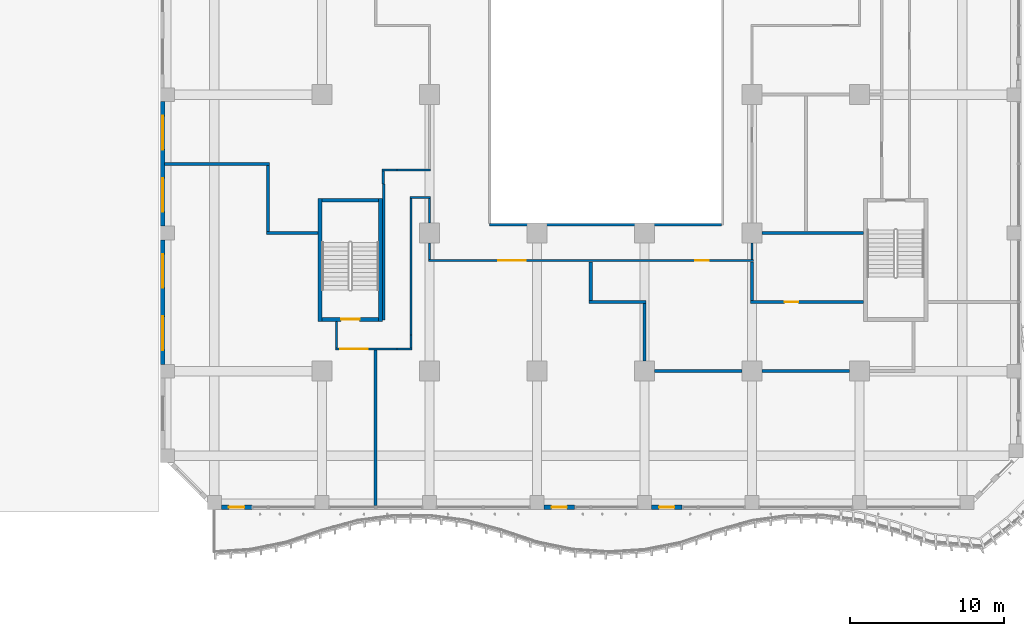
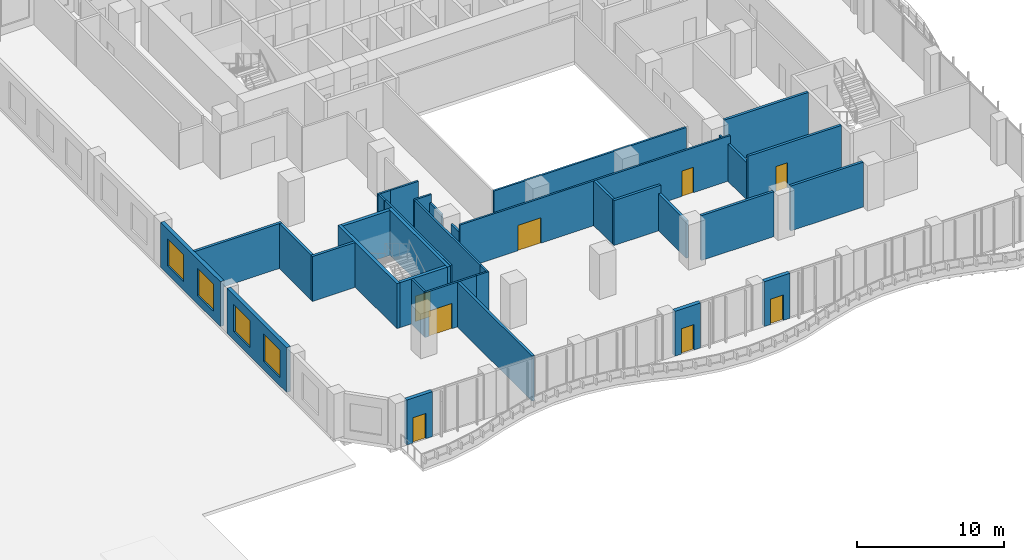
# One storey, part 15 of 29: 36 walls, 8 doors, 4 windows, 12 openings.
"""IFC4 building model written with IfcOpenShell, lengths in metres."""

from ifc_helpers import new_model, si_unit, direction, frame, frame_2d, origin, place, context, subcontext, project, spatial, rectangle, extrude, source, transform, mapped, material, layer, layer_set, type_object, element, fill, save


model = new_model("IFC4")

# Units and contexts
model_context = context("Model", 3, precision=1e-05, world=origin(), true_north=direction((0.0, 1.0)))
body_context = subcontext(model_context, "Body", "Model", "MODEL_VIEW")
ifc_project = project(units=[si_unit("LENGTHUNIT", "METRE"), si_unit("AREAUNIT", "SQUARE_METRE"), si_unit("VOLUMEUNIT", "CUBIC_METRE"), si_unit("PLANEANGLEUNIT", "RADIAN"), si_unit("MASSUNIT", "GRAM", prefix="KILO")], contexts=[model_context])

# Site, building, storey
site_placement = place(None, origin())
site = spatial("IfcSite", under=ifc_project, at=site_placement, CompositionType="ELEMENT")
building_placement = place(site_placement, origin())
building = spatial("IfcBuilding", under=site, at=building_placement, Name="Kilnfold Tower and Market Hall", CompositionType="ELEMENT")
storey_placement = place(building_placement, frame((0.0, 0.0, 27.0)))
storey = spatial("IfcBuildingStorey", under=building, at=storey_placement, Name="L05", CompositionType="ELEMENT", Elevation=27.0)

# Walls
ifc_material_1 = material(Name="Fire-resisting glazed screen")
ifc_layer_1 = layer(ifc_material_1, 0.14990234375)
ifc_layer_set_1 = layer_set([ifc_layer_1], Name="Fire-resisting glazed screen")
wall_type_1 = type_object("IfcWallType", Name="WALL ATRIUM 150", PredefinedType="PARTITIONING", material=ifc_layer_set_1)
wall_1_placement = place(storey_placement, frame((8.5, -9.47509765625, 0.0), z_axis=(0.0, 0.0, 1.0), x_axis=(-1.0, 0.0, 0.0)))
element("IfcWall", 1, at=wall_1_placement, inside=storey, type_object=wall_type_1, Name="Partition LY06.60", PredefinedType="PARTITIONING", context=body_context, shape_type="SweptSolid", body=[
    extrude(rectangle(XDim=15.074951171875, YDim=0.14990234375, at=frame_2d((7.53759765625, 0.0))), origin(), (0.0, 0.0, 1.0), 3.719970703125),
])
ifc_material_2 = material(Name="Gypsum board on steel studs", Category="steel")
ifc_layer_2 = layer(ifc_material_2, 0.14990234375)
ifc_layer_set_2 = layer_set([ifc_layer_2], Name="Gypsum board on steel studs")
wall_type_2 = type_object("IfcWallType", Name="WALL CORRIDOR 150", PredefinedType="PARTITIONING", material=ifc_layer_set_2)
wall_2_placement = place(storey_placement, frame((-12.597900390625, -5.89794921875, 0.0), z_axis=(0.0, 0.0, 1.0), x_axis=(-1.0, 0.0, 0.0)))
element("IfcWall", 2, at=wall_2_placement, inside=storey, type_object=wall_type_2, Name="Partition LY06.1", PredefinedType="PARTITIONING", context=body_context, shape_type="SweptSolid", body=[
    extrude(rectangle(XDim=0.97900390625, YDim=0.14990234375, at=frame_2d((0.489501953125, 0.0))), origin(), (0.0, 0.0, 1.0), 3.719970703125),
])
wall_3_placement = place(storey_placement, frame((-10.425048828125, -5.89990234375, 0.0), z_axis=(0.0, 0.0, 1.0), x_axis=(-1.0, 0.0, 0.0)))
element("IfcWall", 3, at=wall_3_placement, inside=storey, type_object=wall_type_2, Name="Partition LY06.2", PredefinedType="PARTITIONING", context=body_context, shape_type="SweptSolid", body=[
    extrude(rectangle(XDim=2.1728515625, YDim=0.14990234375, at=frame_2d((1.08642578125, 0.0))), origin(), (0.0, 0.0, 1.0), 3.719970703125),
])
wall_4_placement = place(storey_placement, frame((-13.469970703125, -6.802001953125, 0.0), z_axis=(0.0, 0.0, 1.0), x_axis=(0.0, -1.0, 0.0)))
element("IfcWall", 4, at=wall_4_placement, inside=storey, type_object=wall_type_2, Name="Partition LY06.9", PredefinedType="PARTITIONING", context=body_context, shape_type="SweptSolid", body=[
    extrude(rectangle(XDim=8.873046875, YDim=0.14990234375, at=frame_2d((4.4365234375, 0.0))), origin(), (0.0, 0.0, 1.0), 3.719970703125),
])
wall_5_placement = place(storey_placement, frame((-13.501953125, -5.972900390625, 0.0), z_axis=(0.0, 0.0, 1.0), x_axis=(0.0, -1.0, 0.0)))
element("IfcWall", 5, at=wall_5_placement, inside=storey, type_object=wall_type_2, Name="Partition LY06.10", PredefinedType="PARTITIONING", context=body_context, shape_type="SweptSolid", body=[
    extrude(rectangle(XDim=0.8291015625, YDim=0.14990234375, at=frame_2d((0.41455078125, 0.0))), origin(), (0.0, 0.0, 1.0), 3.719970703125),
])

# Wall, openings, doors
wall_6_placement = place(storey_placement, frame((-10.574951171875, -11.800048828125, 0.0), z_axis=(0.0, 0.0, 1.0), x_axis=(1.0, 0.0, 0.0)))
wall_6 = element("IfcWall", 6, at=wall_6_placement, inside=storey, type_object=wall_type_2, Name="Partition LY06.11", PredefinedType="PARTITIONING", context=body_context, shape_type="SweptSolid", body=[
    extrude(rectangle(XDim=21.175048828125, YDim=0.14990234375, at=frame_2d((10.58740234375, 0.0))), origin(), (0.0, 0.0, 1.0), 3.719970703125),
])
opening_1_placement = place(wall_6_placement, frame((4.5439453125, 0.0, 0.0)))
opening_1 = element("IfcOpeningElement", 7, at=opening_1_placement, cuts=wall_6, Name="Opening D5", PredefinedType="OPENING", context=body_context, shape_type="SweptSolid", body=[
    extrude(rectangle(XDim=1.800048828125, YDim=2.10009765625, at=frame_2d((0.89990234375, 1.050048828125))), frame((0.0, 0.0849609375, 0.0), z_axis=(0.0, -1.0, 0.0), x_axis=(1.0, 0.0, 0.0)), (0.0, 0.0, 1.0), 0.169921875),
])
opening_2_placement = place(wall_6_placement, frame((17.3720703125, 0.0, 0.0)))
opening_2 = element("IfcOpeningElement", 8, at=opening_2_placement, cuts=wall_6, Name="Opening D2", PredefinedType="OPENING", context=body_context, shape_type="SweptSolid", body=[
    extrude(rectangle(XDim=0.89990234375, YDim=2.10009765625, at=frame_2d((0.449951171875, 1.050048828125))), frame((0.0, 0.0849609375, 0.0), z_axis=(0.0, -1.0, 0.0), x_axis=(1.0, 0.0, 0.0)), (0.0, 0.0, 1.0), 0.169921875),
])
ifc_material_3 = material(Name="Timber veneer door leaf in steel frame", Category="steel")
door_type_1 = type_object("IfcDoorType", Name="DOOR DOUBLE 1800 X2100", OperationType="NOTDEFINED", PredefinedType="DOOR", material=ifc_material_3)
door_1_placement = place(opening_1_placement, origin())
door_1 = element("IfcDoor", 9, at=door_1_placement, inside=storey, type_object=door_type_1, Name="Door D5", OperationType="DOUBLE_DOOR_SINGLE_SWING", OverallHeight=2.10009765625, OverallWidth=1.800048828125, PredefinedType="DOOR", context=body_context, shape_type="SweptSolid", body=[
    extrude(rectangle(XDim=1.800048828125, YDim=2.10009765625, at=frame_2d((0.89990234375, 1.050048828125))), frame((0.0, 0.02490234375, 0.0), z_axis=(0.0, -1.0, 0.0), x_axis=(1.0, 0.0, 0.0)), (0.0, 0.0, 1.0), 0.050048828125),
])
fill(opening_1, door_1)
ifc_material_4 = material(Name="Timber veneer door leaf in steel frame", Category="steel")
door_type_2 = type_object("IfcDoorType", Name="DOOR ROOM 900 X2100", OperationType="NOTDEFINED", PredefinedType="DOOR", material=ifc_material_4)
door_2_placement = place(opening_2_placement, origin())
door_2 = element("IfcDoor", 10, at=door_2_placement, inside=storey, type_object=door_type_2, Name="Door D2", OperationType="SINGLE_SWING_LEFT", OverallHeight=2.10009765625, OverallWidth=0.89990234375, PredefinedType="DOOR", context=body_context, shape_type="SweptSolid", body=[
    extrude(rectangle(XDim=0.89990234375, YDim=2.10009765625, at=frame_2d((0.449951171875, 1.050048828125))), frame((0.0, 0.02490234375, 0.0), z_axis=(0.0, -1.0, 0.0), x_axis=(1.0, 0.0, 0.0)), (0.0, 0.0, 1.0), 0.050048828125),
])
fill(opening_2, door_2)

# Walls
wall_7_placement = place(storey_placement, frame((-10.5, -11.72509765625, 0.0), z_axis=(0.0, 0.0, 1.0), x_axis=(0.0, 1.0, 0.0)))
element("IfcWall", 11, at=wall_7_placement, inside=storey, type_object=wall_type_2, Name="Partition LY06.12", PredefinedType="PARTITIONING", context=body_context, shape_type="SweptSolid", body=[
    extrude(rectangle(XDim=1.0751953125, YDim=0.14990234375, at=frame_2d((0.53759765625, 0.0))), origin(), (0.0, 0.0, 1.0), 3.070068359375),
])
wall_8_placement = place(storey_placement, frame((-10.5, -9.35009765625, 0.0), z_axis=(0.0, 0.0, 1.0), x_axis=(0.0, 1.0, 0.0)))
element("IfcWall", 12, at=wall_8_placement, inside=storey, type_object=wall_type_2, Name="Partition LY06.13", PredefinedType="PARTITIONING", context=body_context, shape_type="SweptSolid", body=[
    extrude(rectangle(XDim=1.5751953125, YDim=0.14990234375, at=frame_2d((0.78759765625, 0.0))), origin(), (0.0, 0.0, 1.0), 3.070068359375),
])
wall_9_placement = place(storey_placement, frame((-11.77490234375, -7.699951171875, 0.0), z_axis=(0.0, 0.0, 1.0), x_axis=(1.0, 0.0, 0.0)))
element("IfcWall", 13, at=wall_9_placement, inside=storey, type_object=wall_type_2, Name="Partition LY06.14", PredefinedType="PARTITIONING", context=body_context, shape_type="SweptSolid", body=[
    extrude(rectangle(XDim=1.349853515625, YDim=0.14990234375, at=frame_2d((0.6748046875, 0.0))), origin(), (0.0, 0.0, 1.0), 3.719970703125),
])
wall_10_placement = place(storey_placement, frame((-11.699951171875, -16.64794921875, 0.0), z_axis=(0.0, 0.0, 1.0), x_axis=(0.0, 1.0, 0.0)))
element("IfcWall", 14, at=wall_10_placement, inside=storey, type_object=wall_type_2, Name="Partition LY06.15", PredefinedType="PARTITIONING", context=body_context, shape_type="SweptSolid", body=[
    extrude(rectangle(XDim=8.873046875, YDim=0.14990234375, at=frame_2d((4.4365234375, 0.0))), origin(), (0.0, 0.0, 1.0), 3.719970703125),
])
wall_11_placement = place(storey_placement, frame((-11.697998046875, -17.47705078125, 0.0), z_axis=(0.0, 0.0, 1.0), x_axis=(0.0, 1.0, 0.0)))
element("IfcWall", 15, at=wall_11_placement, inside=storey, type_object=wall_type_2, Name="Partition LY06.16", PredefinedType="PARTITIONING", context=body_context, shape_type="SweptSolid", body=[
    extrude(rectangle(XDim=0.8291015625, YDim=0.14990234375, at=frame_2d((0.41455078125, 0.0))), origin(), (0.0, 0.0, 1.0), 3.719970703125),
])
wall_12_placement = place(storey_placement, frame((-12.60205078125, -17.552001953125, 0.0), z_axis=(0.0, 0.0, 1.0), x_axis=(1.0, 0.0, 0.0)))
element("IfcWall", 16, at=wall_12_placement, inside=storey, type_object=wall_type_2, Name="Partition LY06.17", PredefinedType="PARTITIONING", context=body_context, shape_type="SweptSolid", body=[
    extrude(rectangle(XDim=0.97900390625, YDim=0.14990234375, at=frame_2d((0.489501953125, 0.0))), origin(), (0.0, 0.0, 1.0), 3.719970703125),
])

# Wall, opening, door
wall_13_placement = place(storey_placement, frame((-16.625, -17.550048828125, 0.0), z_axis=(0.0, 0.0, 1.0), x_axis=(1.0, 0.0, 0.0)))
wall_13 = element("IfcWall", 17, at=wall_13_placement, inside=storey, type_object=wall_type_2, Name="Partition LY06.18", PredefinedType="PARTITIONING", context=body_context, shape_type="SweptSolid", body=[
    extrude(rectangle(XDim=4.02294921875, YDim=0.14990234375, at=frame_2d((2.011474609375, 0.0))), origin(), (0.0, 0.0, 1.0), 3.719970703125),
])
opening_3_placement = place(wall_13_placement, frame((0.30908203125, 0.0, 0.0)))
opening_3 = element("IfcOpeningElement", 18, at=opening_3_placement, cuts=wall_13, Name="Opening D5", PredefinedType="OPENING", context=body_context, shape_type="SweptSolid", body=[
    extrude(rectangle(XDim=1.800048828125, YDim=2.10009765625, at=frame_2d((0.89990234375, 1.050048828125))), frame((0.0, 0.0849609375, 0.0), z_axis=(0.0, -1.0, 0.0), x_axis=(1.0, 0.0, 0.0)), (0.0, 0.0, 1.0), 0.169921875),
])
door_3_placement = place(opening_3_placement, origin())
door_3 = element("IfcDoor", 19, at=door_3_placement, inside=storey, type_object=door_type_1, Name="Door D5", OperationType="DOUBLE_DOOR_SINGLE_SWING", OverallHeight=2.10009765625, OverallWidth=1.800048828125, PredefinedType="DOOR", context=body_context, shape_type="SweptSolid", body=[
    extrude(rectangle(XDim=1.800048828125, YDim=2.10009765625, at=frame_2d((0.89990234375, 1.050048828125))), frame((0.0, 0.02490234375, 0.0), z_axis=(0.0, -1.0, 0.0), x_axis=(1.0, 0.0, 0.0)), (0.0, 0.0, 1.0), 0.050048828125),
])
fill(opening_3, door_3)

# Walls
wall_14_placement = place(storey_placement, frame((-16.550048828125, -15.75, 0.0), z_axis=(0.0, 0.0, 1.0), x_axis=(0.0, -1.0, 0.0)))
element("IfcWall", 20, at=wall_14_placement, inside=storey, type_object=wall_type_2, Name="Partition LY06.19", PredefinedType="PARTITIONING", context=body_context, shape_type="SweptSolid", body=[
    extrude(rectangle(XDim=1.72509765625, YDim=0.14990234375, at=frame_2d((0.862548828125, 0.0))), origin(), (0.0, 0.0, 1.0), 3.719970703125),
])
wall_15_placement = place(storey_placement, frame((10.5, -11.72509765625, 0.0), z_axis=(0.0, 0.0, 1.0), x_axis=(0.0, 1.0, 0.0)))
element("IfcWall", 21, at=wall_15_placement, inside=storey, type_object=wall_type_2, Name="Partition LY06.20", PredefinedType="PARTITIONING", context=body_context, shape_type="SweptSolid", body=[
    extrude(rectangle(XDim=1.0751953125, YDim=0.14990234375, at=frame_2d((0.53759765625, 0.0))), origin(), (0.0, 0.0, 1.0), 3.070068359375),
])
ifc_material_5 = material(Name="Gypsum board on steel studs", Category="steel")
ifc_layer_3 = layer(ifc_material_5, 0.199951171875)
ifc_layer_set_3 = layer_set([ifc_layer_3], Name="Gypsum board on steel studs")
wall_type_3 = type_object("IfcWallType", Name="WALL PARTY 200", PredefinedType="PARTITIONING", material=ifc_layer_set_3)
wall_16_placement = place(storey_placement, frame((-21.10009765625, -10.0, 0.0), z_axis=(0.0, 0.0, 1.0), x_axis=(1.0, 0.0, 0.0)))
element("IfcWall", 22, at=wall_16_placement, inside=storey, type_object=wall_type_3, Name="Partition LY06.35", PredefinedType="PARTITIONING", context=body_context, shape_type="SweptSolid", body=[
    extrude(rectangle(XDim=3.35009765625, YDim=0.199951171875, at=frame_2d((1.675048828125, 0.0))), origin(), (0.0, 0.0, 1.0), 3.719970703125),
])
wall_17_placement = place(storey_placement, frame((-21.0, -9.89990234375, 0.0), z_axis=(0.0, 0.0, 1.0), x_axis=(0.0, 1.0, 0.0)))
element("IfcWall", 23, at=wall_17_placement, inside=storey, type_object=wall_type_3, Name="Partition LY06.36", PredefinedType="PARTITIONING", context=body_context, shape_type="SweptSolid", body=[
    extrude(rectangle(XDim=4.2998046875, YDim=0.199951171875, at=frame_2d((2.14990234375, 0.0))), origin(), (0.0, 0.0, 1.0), 3.719970703125),
])
wall_18_placement = place(storey_placement, frame((-27.75, -5.5, 0.0), z_axis=(0.0, 0.0, 1.0), x_axis=(1.0, 0.0, 0.0)))
element("IfcWall", 24, at=wall_18_placement, inside=storey, type_object=wall_type_3, Name="Partition LY06.37", PredefinedType="PARTITIONING", context=body_context, shape_type="SweptSolid", body=[
    extrude(rectangle(XDim=6.85009765625, YDim=0.199951171875, at=frame_2d((3.425048828125, 0.0))), origin(), (0.0, 0.0, 1.0), 3.719970703125),
])
wall_19_placement = place(storey_placement, frame((-14.0, -27.75, 0.0), z_axis=(0.0, 0.0, 1.0), x_axis=(0.0, 1.0, 0.0)))
element("IfcWall", 25, at=wall_19_placement, inside=storey, type_object=wall_type_3, Name="Partition LY06.41", PredefinedType="PARTITIONING", context=body_context, shape_type="SweptSolid", body=[
    extrude(rectangle(XDim=10.1240234375, YDim=0.199951171875, at=frame_2d((5.06201171875, 0.0))), origin(), (0.0, 0.0, 1.0), 3.719970703125),
])
wall_20_placement = place(storey_placement, frame((0.0, -14.39990234375, 0.0), z_axis=(0.0, 0.0, 1.0), x_axis=(0.0, 1.0, 0.0)))
element("IfcWall", 26, at=wall_20_placement, inside=storey, type_object=wall_type_3, Name="Partition LY06.42", PredefinedType="PARTITIONING", context=body_context, shape_type="SweptSolid", body=[
    extrude(rectangle(XDim=2.52392578125, YDim=0.199951171875, at=frame_2d((1.261962890625, 0.0))), origin(), (0.0, 0.0, 1.0), 3.719970703125),
])
wall_21_placement = place(storey_placement, frame((-0.10009765625, -14.5, 0.0), z_axis=(0.0, 0.0, 1.0), x_axis=(1.0, 0.0, 0.0)))
element("IfcWall", 27, at=wall_21_placement, inside=storey, type_object=wall_type_3, Name="Partition LY06.43", PredefinedType="PARTITIONING", context=body_context, shape_type="SweptSolid", body=[
    extrude(rectangle(XDim=3.7001953125, YDim=0.199951171875, at=frame_2d((1.85009765625, 0.0))), origin(), (0.0, 0.0, 1.0), 3.719970703125),
])
wall_22_placement = place(storey_placement, frame((3.5, -18.35009765625, 0.0), z_axis=(0.0, 0.0, 1.0), x_axis=(0.0, 1.0, 0.0)))
element("IfcWall", 28, at=wall_22_placement, inside=storey, type_object=wall_type_3, Name="Partition LY06.44", PredefinedType="PARTITIONING", context=body_context, shape_type="SweptSolid", body=[
    extrude(rectangle(XDim=3.75, YDim=0.199951171875, at=frame_2d((1.875, 0.0))), origin(), (0.0, 0.0, 1.0), 3.070068359375),
])
for number, where, z_axis, x_axis, name in (
    (29, (4.14990234375, -19.0, 0.0), (0.0, 0.0, 1.0), (1.0, 0.0, 0.0), "Partition LY06.45"),
    (30, (11.14990234375, -19.0, 0.0), (0.0, 0.0, 1.0), (1.0, 0.0, 0.0), "Partition LY06.46"),
):
    element("IfcWall", number, at=place(storey_placement, frame(where, z_axis=z_axis, x_axis=x_axis)), inside=storey, type_object=wall_type_3, Name=name, PredefinedType="PARTITIONING", context=body_context, shape_type="SweptSolid", body=[
        extrude(rectangle(XDim=5.7001953125, YDim=0.199951171875, at=frame_2d((2.85009765625, 0.0))), origin(), (0.0, 0.0, 1.0), 3.719970703125),
    ])
wall_23_placement = place(storey_placement, frame((10.5, -14.39990234375, 0.0), z_axis=(0.0, 0.0, 1.0), x_axis=(0.0, 1.0, 0.0)))
element("IfcWall", 31, at=wall_23_placement, inside=storey, type_object=wall_type_3, Name="Partition LY06.50", PredefinedType="PARTITIONING", context=body_context, shape_type="SweptSolid", body=[
    extrude(rectangle(XDim=2.52392578125, YDim=0.199951171875, at=frame_2d((1.261962890625, 0.0))), origin(), (0.0, 0.0, 1.0), 3.070068359375),
])

# Wall, opening, door
wall_24_placement = place(storey_placement, frame((10.39990234375, -14.5, 0.0), z_axis=(0.0, 0.0, 1.0), x_axis=(1.0, 0.0, 0.0)))
wall_24 = element("IfcWall", 32, at=wall_24_placement, inside=storey, type_object=wall_type_3, Name="Partition LY06.51", PredefinedType="PARTITIONING", context=body_context, shape_type="SweptSolid", body=[
    extrude(rectangle(XDim=7.35009765625, YDim=0.199951171875, at=frame_2d((3.675048828125, 0.0))), origin(), (0.0, 0.0, 1.0), 3.719970703125),
])
opening_4_placement = place(wall_24_placement, frame((2.217041015625, 0.0, 0.0)))
opening_4 = element("IfcOpeningElement", 33, at=opening_4_placement, cuts=wall_24, Name="Opening D2", PredefinedType="OPENING", context=body_context, shape_type="SweptSolid", body=[
    extrude(rectangle(XDim=0.89990234375, YDim=2.10009765625, at=frame_2d((0.449951171875, 1.050048828125))), frame((0.0, 0.10986328125, 0.0), z_axis=(0.0, -1.0, 0.0), x_axis=(1.0, 0.0, 0.0)), (0.0, 0.0, 1.0), 0.219970703125),
])
door_4_placement = place(opening_4_placement, origin())
door_4 = element("IfcDoor", 34, at=door_4_placement, inside=storey, type_object=door_type_2, Name="Door D2", OperationType="SINGLE_SWING_LEFT", OverallHeight=2.10009765625, OverallWidth=0.89990234375, PredefinedType="DOOR", context=body_context, shape_type="SweptSolid", body=[
    extrude(rectangle(XDim=0.89990234375, YDim=2.10009765625, at=frame_2d((0.449951171875, 1.050048828125))), frame((0.0, 0.02490234375, 0.0), z_axis=(0.0, -1.0, 0.0), x_axis=(1.0, 0.0, 0.0)), (0.0, 0.0, 1.0), 0.050048828125),
])
fill(opening_4, door_4)

# Wall
wall_25_placement = place(storey_placement, frame((11.14990234375, -10.0, 0.0), z_axis=(0.0, 0.0, 1.0), x_axis=(1.0, 0.0, 0.0)))
element("IfcWall", 35, at=wall_25_placement, inside=storey, type_object=wall_type_3, Name="Partition LY06.52", PredefinedType="PARTITIONING", context=body_context, shape_type="SweptSolid", body=[
    extrude(rectangle(XDim=6.60009765625, YDim=0.199951171875, at=frame_2d((3.300048828125, 0.0))), origin(), (0.0, 0.0, 1.0), 3.719970703125),
])

# Wall, opening, door
ifc_material_6 = material(Name="Concrete C80", Category="concrete")
ifc_layer_4 = layer(ifc_material_6, 0.25)
ifc_layer_set_4 = layer_set([ifc_layer_4], Name="Concrete C80")
wall_type_4 = type_object("IfcWallType", Name="CORE WALL 250 C80", PredefinedType="SHEAR", material=ifc_layer_set_4)
shared_shape_1 = source(origin(), body_context, "Body", "SweptSolid", [
    extrude(rectangle(XDim=3.699951171875, YDim=0.25, at=frame_2d((1.85009765625, 0.0))), origin(), (0.0, 0.0, 1.0), 3.719970703125),
])
wall_26_placement = place(storey_placement, frame((-17.5, -15.625, 0.0), z_axis=(0.0, 0.0, 1.0), x_axis=(1.0, 0.0, 0.0)))
wall_26 = element("IfcWall", 36, at=wall_26_placement, inside=storey, type_object=wall_type_4, Name="Stair enclosure ST3", PredefinedType="SHEAR", context=body_context, shape_type="MappedRepresentation", body=[
    mapped(shared_shape_1, transform((0.0, 0.0, 0.0))),
])
opening_5_placement = place(wall_26_placement, frame((1.25, 0.0, 0.0)))
opening_5 = element("IfcOpeningElement", 37, at=opening_5_placement, cuts=wall_26, Name="Opening SD1", PredefinedType="OPENING", context=body_context, shape_type="SweptSolid", body=[
    extrude(rectangle(XDim=1.199951171875, YDim=2.10009765625, at=frame_2d((0.60009765625, 1.050048828125))), frame((0.0, 0.135009765625, 0.0), z_axis=(0.0, -1.0, 0.0), x_axis=(1.0, 0.0, 0.0)), (0.0, 0.0, 1.0), 0.27001953125),
])
ifc_material_7 = material(Name="Steel door set with fire-resisting leaf", Category="steel")
door_type_3 = type_object("IfcDoorType", Name="STAIR FLOOR DOOR 1200X2100", OperationType="NOTDEFINED", PredefinedType="DOOR", material=ifc_material_7)
door_5_placement = place(opening_5_placement, origin())
door_5 = element("IfcDoor", 38, at=door_5_placement, inside=storey, type_object=door_type_3, Name="Exit stair ST3 door", OperationType="DOUBLE_DOOR_SINGLE_SWING", OverallHeight=2.10009765625, OverallWidth=1.199951171875, PredefinedType="DOOR", context=body_context, shape_type="SweptSolid", body=[
    extrude(rectangle(XDim=1.199951171875, YDim=2.10009765625, at=frame_2d((0.60009765625, 1.050048828125))), frame((0.0, 0.02490234375, 0.0), z_axis=(0.0, -1.0, 0.0), x_axis=(1.0, 0.0, 0.0)), (0.0, 0.0, 1.0), 0.050048828125),
])
fill(opening_5, door_5)

# Walls
wall_27_placement = place(storey_placement, frame((-17.5, -7.875, 0.0), z_axis=(0.0, 0.0, 1.0), x_axis=(1.0, 0.0, 0.0)))
element("IfcWall", 39, at=wall_27_placement, inside=storey, type_object=wall_type_4, Name="Stair enclosure ST3", PredefinedType="SHEAR", context=body_context, shape_type="MappedRepresentation", body=[
    mapped(shared_shape_1, transform((0.0, 0.0, 0.0))),
])
shared_shape_2 = source(origin(), body_context, "Body", "SweptSolid", [
    extrude(rectangle(XDim=8.0, YDim=0.25, at=frame_2d((4.0, 0.0))), origin(), (0.0, 0.0, 1.0), 3.719970703125),
])
for number, where, z_axis, x_axis, name in (
    (40, (-17.625, -15.75, 0.0), (0.0, 0.0, 1.0), (0.0, 1.0, 0.0), "Stair enclosure ST3"),
    (41, (-13.675048828125, -15.75, 0.0), (0.0, 0.0, 1.0), (0.0, 1.0, 0.0), "Stair enclosure ST3"),
):
    element("IfcWall", number, at=place(storey_placement, frame(where, z_axis=z_axis, x_axis=x_axis)), inside=storey, type_object=wall_type_4, Name=name, PredefinedType="SHEAR", context=body_context, shape_type="MappedRepresentation", body=[
        mapped(shared_shape_2, transform((0.0, 0.0, 0.0))),
    ])

# Wall, opening, door
ifc_material_8 = material(Name="Precast concrete C50/60", Category="concrete")
ifc_layer_5 = layer(ifc_material_8, 0.300048828125)
ifc_layer_set_5 = layer_set([ifc_layer_5], Name="Precast concrete C50/60")
wall_type_5 = type_object("IfcWallType", Name="PRECAST WALL 300", PredefinedType="SOLIDWALL", material=ifc_layer_set_5)
shared_shape_3 = source(origin(), body_context, "Body", "SweptSolid", [
    extrude(rectangle(XDim=2.0, YDim=0.300048828125, at=frame_2d((1.0, 0.0))), origin(), (0.0, 0.0, 1.0), 3.719970703125),
])
wall_28_placement = place(storey_placement, frame((-24.050048828125, -27.85009765625, 0.0), z_axis=(0.0, 0.0, 1.0), x_axis=(1.0, 0.0, 0.0)))
wall_28 = element("IfcWall", 42, at=wall_28_placement, inside=storey, type_object=wall_type_5, Name="External wall L05 S", PredefinedType="SOLIDWALL", context=body_context, shape_type="MappedRepresentation", body=[
    mapped(shared_shape_3, transform((0.0, 0.0, 0.0))),
])
opening_6_placement = place(wall_28_placement, frame((0.5, 0.0, 0.0)))
opening_6 = element("IfcOpeningElement", 43, at=opening_6_placement, cuts=wall_28, Name="Opening BD1", PredefinedType="OPENING", context=body_context, shape_type="SweptSolid", body=[
    extrude(rectangle(XDim=1.0, YDim=2.10009765625, at=frame_2d((0.5, 1.050048828125))), frame((0.0, 0.16015625, 0.0), z_axis=(0.0, -1.0, 0.0), x_axis=(1.0, 0.0, 0.0)), (0.0, 0.0, 1.0), 0.320068359375),
])
ifc_material_9 = material(Name="Aluminium frame and double glazing", Category="aluminium")
door_type_4 = type_object("IfcDoorType", Name="BALCONY DOOR 1000X2100", OperationType="NOTDEFINED", PredefinedType="DOOR", material=ifc_material_9)
door_6_placement = place(opening_6_placement, origin())
door_6 = element("IfcDoor", 44, at=door_6_placement, inside=storey, type_object=door_type_4, Name="Balcony door BD1 L05 S-1", OperationType="SINGLE_SWING_LEFT", OverallHeight=2.10009765625, OverallWidth=1.0, PredefinedType="DOOR", context=body_context, shape_type="SweptSolid", body=[
    extrude(rectangle(XDim=1.0, YDim=2.10009765625, at=frame_2d((0.5, 1.050048828125))), frame((0.0, 0.02490234375, 0.0), z_axis=(0.0, -1.0, 0.0), x_axis=(1.0, 0.0, 0.0)), (0.0, 0.0, 1.0), 0.050048828125),
])
fill(opening_6, door_6)

wall_29_placement = place(storey_placement, frame((-3.050048828125, -27.85009765625, 0.0), z_axis=(0.0, 0.0, 1.0), x_axis=(1.0, 0.0, 0.0)))
wall_29 = element("IfcWall", 45, at=wall_29_placement, inside=storey, type_object=wall_type_5, Name="External wall L05 S", PredefinedType="SOLIDWALL", context=body_context, shape_type="MappedRepresentation", body=[
    mapped(shared_shape_3, transform((0.0, 0.0, 0.0))),
])
opening_7_placement = place(wall_29_placement, frame((0.5, 0.0, 0.0)))
opening_7 = element("IfcOpeningElement", 46, at=opening_7_placement, cuts=wall_29, Name="Opening BD1", PredefinedType="OPENING", context=body_context, shape_type="SweptSolid", body=[
    extrude(rectangle(XDim=1.0, YDim=2.10009765625, at=frame_2d((0.5, 1.050048828125))), frame((0.0, 0.16015625, 0.0), z_axis=(0.0, -1.0, 0.0), x_axis=(1.0, 0.0, 0.0)), (0.0, 0.0, 1.0), 0.320068359375),
])
door_7_placement = place(opening_7_placement, origin())
door_7 = element("IfcDoor", 47, at=door_7_placement, inside=storey, type_object=door_type_4, Name="Balcony door BD1 L05 S-1", OperationType="SINGLE_SWING_LEFT", OverallHeight=2.10009765625, OverallWidth=1.0, PredefinedType="DOOR", context=body_context, shape_type="SweptSolid", body=[
    extrude(rectangle(XDim=1.0, YDim=2.10009765625, at=frame_2d((0.5, 1.050048828125))), frame((0.0, 0.02490234375, 0.0), z_axis=(0.0, -1.0, 0.0), x_axis=(1.0, 0.0, 0.0)), (0.0, 0.0, 1.0), 0.050048828125),
])
fill(opening_7, door_7)

wall_30_placement = place(storey_placement, frame((3.949951171875, -27.85009765625, 0.0), z_axis=(0.0, 0.0, 1.0), x_axis=(1.0, 0.0, 0.0)))
wall_30 = element("IfcWall", 48, at=wall_30_placement, inside=storey, type_object=wall_type_5, Name="External wall L05 S", PredefinedType="SOLIDWALL", context=body_context, shape_type="MappedRepresentation", body=[
    mapped(shared_shape_3, transform((0.0, 0.0, 0.0))),
])
opening_8_placement = place(wall_30_placement, frame((0.5, 0.0, 0.0)))
opening_8 = element("IfcOpeningElement", 49, at=opening_8_placement, cuts=wall_30, Name="Opening BD1", PredefinedType="OPENING", context=body_context, shape_type="SweptSolid", body=[
    extrude(rectangle(XDim=1.0, YDim=2.10009765625, at=frame_2d((0.5, 1.050048828125))), frame((0.0, 0.16015625, 0.0), z_axis=(0.0, -1.0, 0.0), x_axis=(1.0, 0.0, 0.0)), (0.0, 0.0, 1.0), 0.320068359375),
])
door_8_placement = place(opening_8_placement, origin())
door_8 = element("IfcDoor", 50, at=door_8_placement, inside=storey, type_object=door_type_4, Name="Balcony door BD1 L05 S-1", OperationType="SINGLE_SWING_LEFT", OverallHeight=2.10009765625, OverallWidth=1.0, PredefinedType="DOOR", context=body_context, shape_type="SweptSolid", body=[
    extrude(rectangle(XDim=1.0, YDim=2.10009765625, at=frame_2d((0.5, 1.050048828125))), frame((0.0, 0.02490234375, 0.0), z_axis=(0.0, -1.0, 0.0), x_axis=(1.0, 0.0, 0.0)), (0.0, 0.0, 1.0), 0.050048828125),
])
fill(opening_8, door_8)

# Wall, openings, windows
shared_shape_4 = source(origin(), body_context, "Body", "SweptSolid", [
    extrude(rectangle(XDim=8.10009765625, YDim=0.300048828125, at=frame_2d((4.050048828125, 0.0))), origin(), (0.0, 0.0, 1.0), 3.719970703125),
])
wall_31_placement = place(storey_placement, frame((-27.85009765625, -1.449951171875, 0.0), z_axis=(0.0, 0.0, 1.0), x_axis=(0.0, -1.0, 0.0)))
wall_31 = element("IfcWall", 51, at=wall_31_placement, inside=storey, type_object=wall_type_5, Name="External wall L05 W", PredefinedType="SOLIDWALL", context=body_context, shape_type="MappedRepresentation", body=[
    mapped(shared_shape_4, transform((0.0, 0.0, 0.0))),
])
opening_9_placement = place(wall_31_placement, frame((0.925048828125, 0.0, 0.699951171875)))
opening_9 = element("IfcOpeningElement", 52, at=opening_9_placement, cuts=wall_31, Name="Opening W1", PredefinedType="OPENING", context=body_context, shape_type="SweptSolid", body=[
    extrude(rectangle(XDim=2.199951171875, YDim=2.25, at=frame_2d((1.10009765625, 1.125))), frame((0.0, 0.16015625, 0.0), z_axis=(0.0, -1.0, 0.0), x_axis=(1.0, 0.0, 0.0)), (0.0, 0.0, 1.0), 0.320068359375),
])
opening_10_placement = place(wall_31_placement, frame((4.97509765625, 0.0, 0.699951171875)))
opening_10 = element("IfcOpeningElement", 53, at=opening_10_placement, cuts=wall_31, Name="Opening W1", PredefinedType="OPENING", context=body_context, shape_type="SweptSolid", body=[
    extrude(rectangle(XDim=2.199951171875, YDim=2.25, at=frame_2d((1.10009765625, 1.125))), frame((0.0, 0.16015625, 0.0), z_axis=(0.0, -1.0, 0.0), x_axis=(1.0, 0.0, 0.0)), (0.0, 0.0, 1.0), 0.320068359375),
])
ifc_material_10 = material(Name="Aluminium frame and double glazing", Category="aluminium")
window_type = type_object("IfcWindowType", Name="WINDOW W1 2200X2250", PartitioningType="SINGLE_PANEL", PredefinedType="WINDOW", material=ifc_material_10)
window_1_placement = place(opening_9_placement, origin())
window_1 = element("IfcWindow", 54, at=window_1_placement, inside=storey, type_object=window_type, Name="Window W1 L05 W-1", OverallHeight=2.25, OverallWidth=2.199951171875, PartitioningType="SINGLE_PANEL", PredefinedType="WINDOW", context=body_context, shape_type="SweptSolid", body=[
    extrude(rectangle(XDim=2.199951171875, YDim=2.25, at=frame_2d((1.10009765625, 1.125))), frame((0.0, 0.030029296875, 0.0), z_axis=(0.0, -1.0, 0.0), x_axis=(1.0, 0.0, 0.0)), (0.0, 0.0, 1.0), 0.06005859375),
])
fill(opening_9, window_1)
window_2_placement = place(opening_10_placement, origin())
window_2 = element("IfcWindow", 55, at=window_2_placement, inside=storey, type_object=window_type, Name="Window W1 L05 W-2", OverallHeight=2.25, OverallWidth=2.199951171875, PartitioningType="SINGLE_PANEL", PredefinedType="WINDOW", context=body_context, shape_type="SweptSolid", body=[
    extrude(rectangle(XDim=2.199951171875, YDim=2.25, at=frame_2d((1.10009765625, 1.125))), frame((0.0, 0.030029296875, 0.0), z_axis=(0.0, -1.0, 0.0), x_axis=(1.0, 0.0, 0.0)), (0.0, 0.0, 1.0), 0.06005859375),
])
fill(opening_10, window_2)

wall_32_placement = place(storey_placement, frame((-27.85009765625, -10.449951171875, 0.0), z_axis=(0.0, 0.0, 1.0), x_axis=(0.0, -1.0, 0.0)))
wall_32 = element("IfcWall", 56, at=wall_32_placement, inside=storey, type_object=wall_type_5, Name="External wall L05 W", PredefinedType="SOLIDWALL", context=body_context, shape_type="MappedRepresentation", body=[
    mapped(shared_shape_4, transform((0.0, 0.0, 0.0))),
])
opening_11_placement = place(wall_32_placement, frame((0.925048828125, 0.0, 0.699951171875)))
opening_11 = element("IfcOpeningElement", 57, at=opening_11_placement, cuts=wall_32, Name="Opening W1", PredefinedType="OPENING", context=body_context, shape_type="SweptSolid", body=[
    extrude(rectangle(XDim=2.199951171875, YDim=2.25, at=frame_2d((1.10009765625, 1.125))), frame((0.0, 0.16015625, 0.0), z_axis=(0.0, -1.0, 0.0), x_axis=(1.0, 0.0, 0.0)), (0.0, 0.0, 1.0), 0.320068359375),
])
opening_12_placement = place(wall_32_placement, frame((4.97509765625, 0.0, 0.699951171875)))
opening_12 = element("IfcOpeningElement", 58, at=opening_12_placement, cuts=wall_32, Name="Opening W1", PredefinedType="OPENING", context=body_context, shape_type="SweptSolid", body=[
    extrude(rectangle(XDim=2.199951171875, YDim=2.25, at=frame_2d((1.10009765625, 1.125))), frame((0.0, 0.16015625, 0.0), z_axis=(0.0, -1.0, 0.0), x_axis=(1.0, 0.0, 0.0)), (0.0, 0.0, 1.0), 0.320068359375),
])
window_3_placement = place(opening_11_placement, origin())
window_3 = element("IfcWindow", 59, at=window_3_placement, inside=storey, type_object=window_type, Name="Window W1 L05 W-1", OverallHeight=2.25, OverallWidth=2.199951171875, PartitioningType="SINGLE_PANEL", PredefinedType="WINDOW", context=body_context, shape_type="SweptSolid", body=[
    extrude(rectangle(XDim=2.199951171875, YDim=2.25, at=frame_2d((1.10009765625, 1.125))), frame((0.0, 0.030029296875, 0.0), z_axis=(0.0, -1.0, 0.0), x_axis=(1.0, 0.0, 0.0)), (0.0, 0.0, 1.0), 0.06005859375),
])
fill(opening_11, window_3)
window_4_placement = place(opening_12_placement, origin())
window_4 = element("IfcWindow", 60, at=window_4_placement, inside=storey, type_object=window_type, Name="Window W1 L05 W-2", OverallHeight=2.25, OverallWidth=2.199951171875, PartitioningType="SINGLE_PANEL", PredefinedType="WINDOW", context=body_context, shape_type="SweptSolid", body=[
    extrude(rectangle(XDim=2.199951171875, YDim=2.25, at=frame_2d((1.10009765625, 1.125))), frame((0.0, 0.030029296875, 0.0), z_axis=(0.0, -1.0, 0.0), x_axis=(1.0, 0.0, 0.0)), (0.0, 0.0, 1.0), 0.06005859375),
])
fill(opening_12, window_4)

save(model, "model.ifc")
